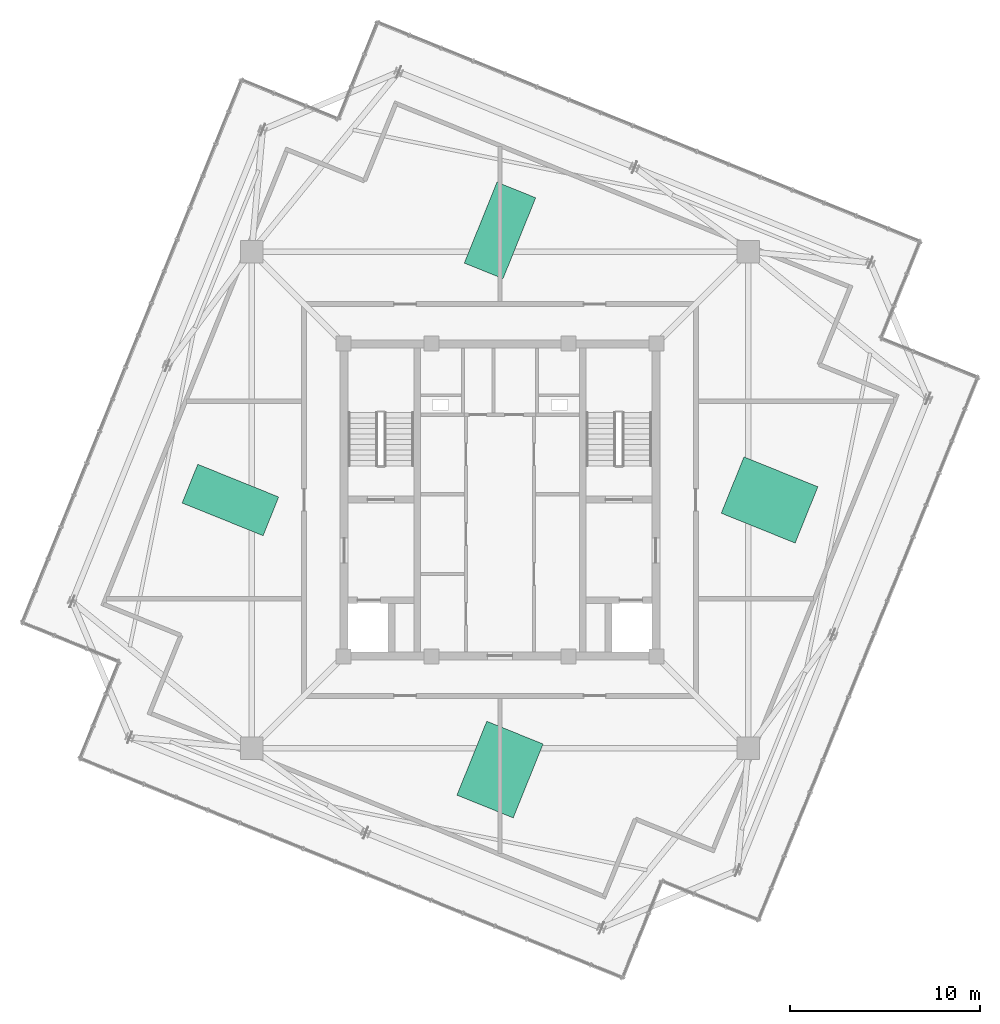
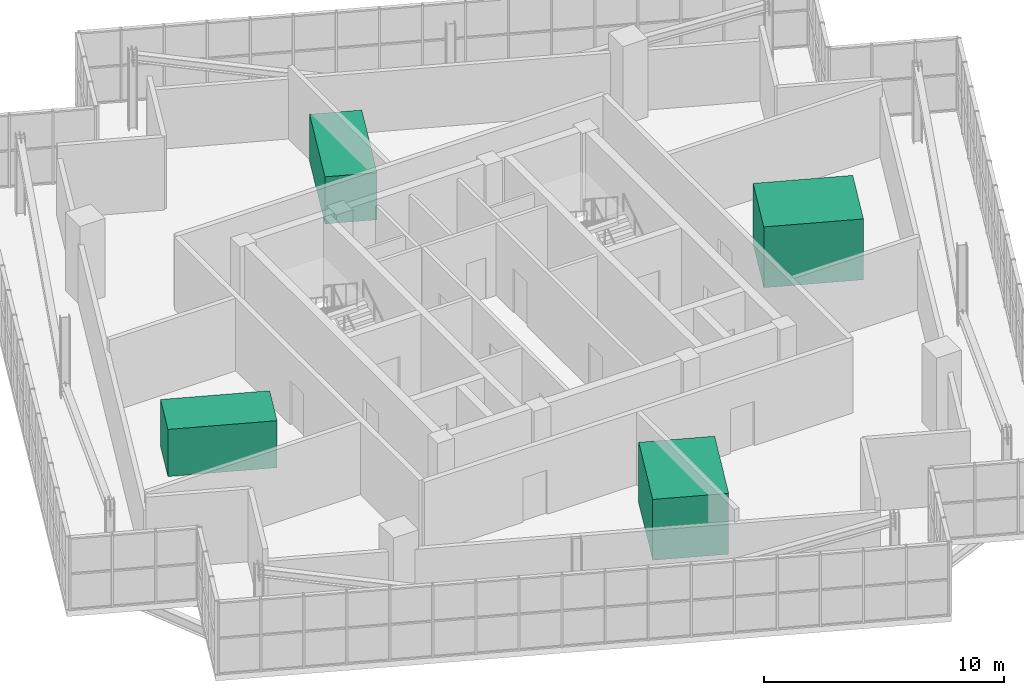
# One storey, part 26 of 26: 4 unitary equipment elements.
"""IFC4 building model written with IfcOpenShell, lengths in metres."""

from ifc_helpers import new_model, si_unit, direction, frame, origin, origin_2d, place, context, subcontext, project, spatial, rectangle, extrude, source, transform, mapped, material, type_object, element, save


model = new_model("IFC4")

# Units and contexts
model_context = context("Model", 3, precision=1e-05, world=origin(), true_north=direction((0.0, 1.0)))
body_context = subcontext(model_context, "Body", "Model", "MODEL_VIEW")
ifc_project = project(units=[si_unit("LENGTHUNIT", "METRE"), si_unit("AREAUNIT", "SQUARE_METRE"), si_unit("VOLUMEUNIT", "CUBIC_METRE"), si_unit("PLANEANGLEUNIT", "RADIAN"), si_unit("MASSUNIT", "GRAM", prefix="KILO"), si_unit("THERMODYNAMICTEMPERATUREUNIT", "KELVIN")], contexts=[model_context])

# Site, building, storey
site_placement = place(None, origin())
site = spatial("IfcSite", under=ifc_project, at=site_placement, CompositionType="ELEMENT")
building_placement = place(site_placement, origin())
building = spatial("IfcBuilding", under=site, at=building_placement, Name="Kosmvard Interchange Tower", CompositionType="ELEMENT")
storey_placement = place(building_placement, frame((0.0, 0.0, 325.60009765625)))
storey = spatial("IfcBuildingStorey", under=building, at=storey_placement, Name="L80", CompositionType="ELEMENT", Elevation=325.60009765625)

# Unitary equipment
ifc_material = material(Name="Steel S355", Category="steel")
unitary_equipment_type_1 = type_object("IfcUnitaryEquipmentType", Name="Modular Induced-Draft Cooling Tower Unit", PredefinedType="USERDEFINED", material=ifc_material)
shared_shape_1 = source(origin(), body_context, "Body", "SweptSolid", [
    extrude(rectangle(XDim=4.199951171875, YDim=3.199951171875, at=origin_2d()), origin(), (0.0, 0.0, 1.0), 3.10009765625),
])
unitary_equipment_1_placement = place(storey_placement, frame((0.0, -14.199951171875, -0.000244140625), z_axis=(0.0, 0.0, 1.0), x_axis=(0.374606593416, 0.927183854567, 0.0)))
element("IfcUnitaryEquipment", 1, at=unitary_equipment_1_placement, inside=storey, type_object=unitary_equipment_type_1, Name="L80 Crown Mechanical Plant Unit CT1", ObjectType="COOLING_TOWER", PredefinedType="USERDEFINED", context=body_context, shape_type="MappedRepresentation", body=[
    mapped(shared_shape_1, transform((0.0, 0.0, 0.0), scale=1.0)),
])
shared_shape_2 = source(origin(), body_context, "Body", "SweptSolid", [
    extrude(rectangle(XDim=3.199951171875, YDim=4.199951171875, at=origin_2d()), origin(), (0.0, 0.0, 1.0), 3.10009765625),
])
unitary_equipment_2_placement = place(storey_placement, frame((14.199951171875, 0.0, -0.000244140625), z_axis=(0.0, 0.0, 1.0), x_axis=(0.374606593416, 0.927183854567, 0.0)))
element("IfcUnitaryEquipment", 2, at=unitary_equipment_2_placement, inside=storey, type_object=unitary_equipment_type_1, Name="L80 Crown Mechanical Plant Unit CT2", ObjectType="COOLING_TOWER", PredefinedType="USERDEFINED", context=body_context, shape_type="MappedRepresentation", body=[
    mapped(shared_shape_2, transform((0.0, 0.0, 0.0), scale=1.0)),
])
unitary_equipment_type_2 = type_object("IfcUnitaryEquipmentType", Name="Centrifugal Water-Cooled Chiller & Heat Recovery Unit", PredefinedType="USERDEFINED", material=ifc_material)
shared_shape_3 = source(origin(), body_context, "Body", "SweptSolid", [
    extrude(rectangle(XDim=4.60009765625, YDim=2.199951171875, at=origin_2d()), origin(), (0.0, 0.0, 1.0), 2.39990234375),
])
unitary_equipment_3_placement = place(storey_placement, frame((0.0, 14.199951171875, 0.0), z_axis=(0.0, 0.0, 1.0), x_axis=(0.374606593416, 0.927183854567, 0.0)))
element("IfcUnitaryEquipment", 3, at=unitary_equipment_3_placement, inside=storey, type_object=unitary_equipment_type_2, Name="L80 Crown Mechanical Plant Unit CH1", ObjectType="CHILLER", PredefinedType="USERDEFINED", context=body_context, shape_type="MappedRepresentation", body=[
    mapped(shared_shape_3, transform((0.0, 0.0, 0.0), scale=1.0)),
])
shared_shape_4 = source(origin(), body_context, "Body", "SweptSolid", [
    extrude(rectangle(XDim=2.199951171875, YDim=4.60009765625, at=origin_2d()), origin(), (0.0, 0.0, 1.0), 2.39990234375),
])
unitary_equipment_4_placement = place(storey_placement, frame((-14.199951171875, 0.0, 0.0), z_axis=(0.0, 0.0, 1.0), x_axis=(0.374606593416, 0.927183854567, 0.0)))
element("IfcUnitaryEquipment", 4, at=unitary_equipment_4_placement, inside=storey, type_object=unitary_equipment_type_2, Name="L80 Crown Mechanical Plant Unit CH2", ObjectType="CHILLER", PredefinedType="USERDEFINED", context=body_context, shape_type="MappedRepresentation", body=[
    mapped(shared_shape_4, transform((0.0, 0.0, 0.0), scale=1.0)),
])

save(model, "model.ifc")
